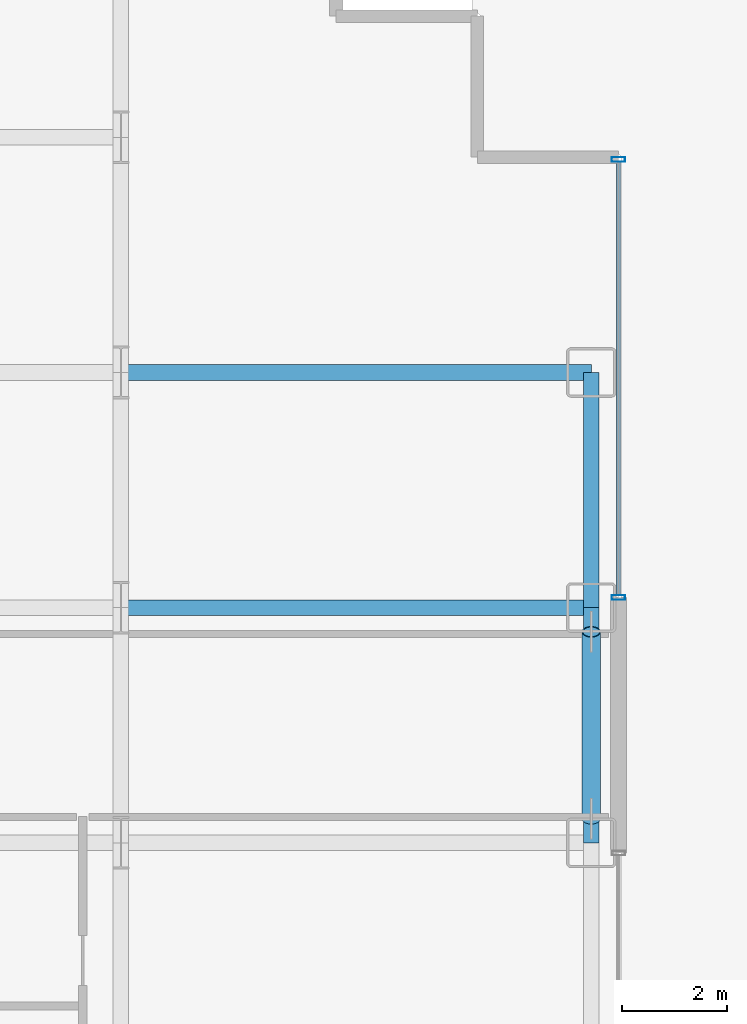
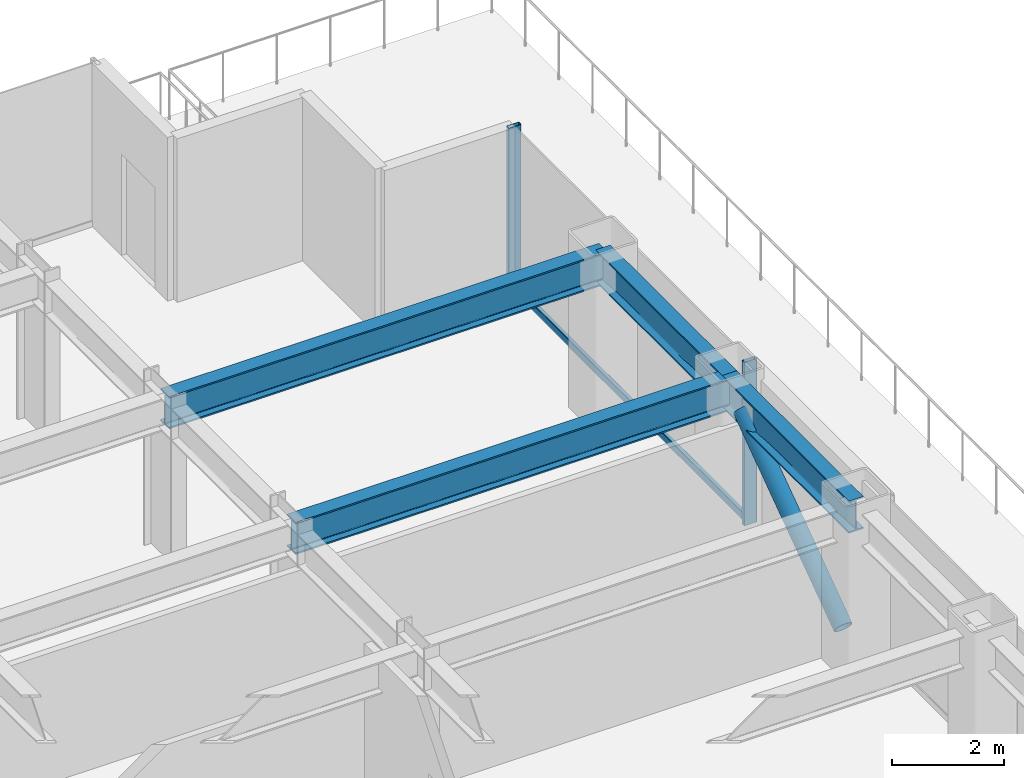
# One storey, part 18 of 30: 4 beams, 4 members, 1 element without a shape of its own.
"""IFC4 building model written with IfcOpenShell, lengths in metres."""

from ifc_helpers import new_model, si_unit, direction, frame, origin, origin_2d, place, context, subcontext, project, spatial, hollow_rectangle, hollow_circle, i_section, extrude, source, transform, mapped, material, layer, layer_set, material_profile, profile_set, type_object, element, aggregate, save


model = new_model("IFC4")

# Units and contexts
model_context = context("Model", 3, precision=1e-05, world=origin(), true_north=direction((0.0, 1.0)))
body_context = subcontext(model_context, "Body", "Model", "MODEL_VIEW")
ifc_project = project(units=[si_unit("LENGTHUNIT", "METRE"), si_unit("AREAUNIT", "SQUARE_METRE"), si_unit("VOLUMEUNIT", "CUBIC_METRE"), si_unit("PLANEANGLEUNIT", "RADIAN"), si_unit("MASSUNIT", "GRAM", prefix="KILO")], contexts=[model_context])

# Site, building, storey
site_placement = place(None, origin())
site = spatial("IfcSite", under=ifc_project, at=site_placement, CompositionType="ELEMENT")
building_placement = place(site_placement, origin())
building = spatial("IfcBuilding", under=site, at=building_placement, Name="Nefas-Gora Pilgrimage Tower", CompositionType="ELEMENT")
storey_placement = place(building_placement, frame((0.0, 0.0, 33.0)))
storey = spatial("IfcBuildingStorey", under=building, at=storey_placement, Name="L06", CompositionType="ELEMENT", Elevation=33.0)

# Beams
ifc_material_1 = material(Name="Steel S355", Category="steel")
ifc_material_profile_1 = material_profile(ifc_material_1, i_section(OverallWidth=0.300048828125, OverallDepth=0.699951171875, WebThickness=0.01708984375, FlangeThickness=0.031982421875, FilletRadius=0.027099609375, at=origin_2d()), Name="HEB 700")
ifc_profile_set_1 = profile_set([ifc_material_profile_1], Name="Steel S355")
beam_type_1 = type_object("IfcBeamType", Name="BM-SPN-HEB600", PredefinedType="SPANDREL", material=ifc_profile_set_1)
shared_shape_1 = source(origin(), body_context, "Body", "SweptSolid", [
    extrude(i_section(OverallWidth=0.300048828125, OverallDepth=0.699951171875, WebThickness=0.01708984375, FlangeThickness=0.031982421875, FilletRadius=0.027099609375, at=origin_2d()), origin(), (0.0, 0.0, 1.0), 4.5),
])
for number, where, z_axis, x_axis, name in (
    (1, (33.75, 4.5, 3.199951171875), (0.0, 1.0, 0.0), (-1.0, 0.0, 0.0), "L06 SP-01 beam"),
    (2, (33.75, 9.0, 3.199951171875), (0.0, 1.0, 0.0), (-1.0, 0.0, 0.0), "L06 SP-01 beam"),
):
    element("IfcBeam", number, at=place(storey_placement, frame(where, z_axis=z_axis, x_axis=x_axis)), inside=storey, type_object=beam_type_1, Name=name, PredefinedType="SPANDREL", context=body_context, shape_type="MappedRepresentation", body=[
        mapped(shared_shape_1, transform((0.0, 0.0, 0.0), x_axis=(1.0, 0.0, 0.0), y_axis=(0.0, 1.0, 0.0), z_axis=(0.0, 0.0, 1.0), scale=1.0)),
    ])
ifc_material_profile_2 = material_profile(ifc_material_1, i_section(OverallWidth=0.300048828125, OverallDepth=0.699951171875, WebThickness=0.01708984375, FlangeThickness=0.031982421875, FilletRadius=0.027099609375, at=origin_2d()), Name="HEB 700")
ifc_profile_set_2 = profile_set([ifc_material_profile_2], Name="Steel S355")
beam_type_2 = type_object("IfcBeamType", Name="BM-GIR-HEB700", PredefinedType="BEAM", material=ifc_profile_set_2)
shared_shape_2 = source(origin(), body_context, "Body", "SweptSolid", [
    extrude(i_section(OverallWidth=0.300048828125, OverallDepth=0.699951171875, WebThickness=0.01708984375, FlangeThickness=0.031982421875, FilletRadius=0.027099609375, at=origin_2d()), origin(), (0.0, 0.0, 1.0), 9.0),
])
for number, where, z_axis, x_axis, name in (
    (3, (24.75, 9.0, 3.199951171875), (1.0, 0.0, 0.0), (0.0, 1.0, 0.0), "L06 G-02 beam"),
    (4, (24.75, 13.5, 3.199951171875), (1.0, 0.0, 0.0), (0.0, 1.0, 0.0), "L06 G-02 beam"),
):
    element("IfcBeam", number, at=place(storey_placement, frame(where, z_axis=z_axis, x_axis=x_axis)), inside=storey, type_object=beam_type_2, Name=name, PredefinedType="BEAM", context=body_context, shape_type="MappedRepresentation", body=[
        mapped(shared_shape_2, transform((0.0, 0.0, 0.0), x_axis=(1.0, 0.0, 0.0), y_axis=(0.0, 1.0, 0.0), z_axis=(0.0, 0.0, 1.0), scale=1.0)),
    ])

# Member
ifc_material_2 = material(Name="Steel S460", Category="steel")
ifc_material_profile_3 = material_profile(ifc_material_2, hollow_circle(Radius=0.177734375, WallThickness=0.02001953125, at=origin_2d()), Name="CHS 355.6x20")
ifc_profile_set_3 = profile_set([ifc_material_profile_3], Name="Steel S460")
member_type_1 = type_object("IfcMemberType", Name="MEM-TUBE-356", PredefinedType="BRACE", material=ifc_profile_set_3)
shared_shape_3 = source(origin(), body_context, "Body", "SweptSolid", [
    extrude(hollow_circle(Radius=0.177734375, WallThickness=0.02001953125, at=origin_2d()), origin(), (0.0, 0.0, 1.0), 4.39501953125),
])
member_1_placement = place(storey_placement, frame((33.75, 4.962890625, 0.481201171875), z_axis=(0.0, 0.813237738338, 0.581931594729), x_axis=(-1.0, 0.0, 0.0)))
element("IfcMember", 5, at=member_1_placement, inside=storey, type_object=member_type_1, Name="L06 Perimeter Tube Diagonal Brace E2", PredefinedType="BRACE", context=body_context, shape_type="MappedRepresentation", body=[
    mapped(shared_shape_3, transform((0.0, 0.0, 0.0), x_axis=(1.0, 0.0, 0.0), y_axis=(0.0, 1.0, 0.0), z_axis=(0.0, 0.0, 1.0), scale=1.0)),
])

# Curtain wall, members
ifc_material_3 = material(Name="Dark ceramic-fritted solar-control aluminium-glass curtain wall", Category="aluminium")
ifc_layer = layer(ifc_material_3, 0.219970703125)
ifc_layer_set = layer_set([ifc_layer], Name="Dark ceramic-fritted solar-control aluminium-glass curtain wall")
curtain_wall_type = type_object("IfcCurtainWallType", Name="CW-SYS-2", PredefinedType="NOTDEFINED", material=ifc_layer_set)
curtain_wall_placement = place(storey_placement, origin())
curtain_wall = element("IfcCurtainWall", 6, at=curtain_wall_placement, inside=storey, type_object=curtain_wall_type, Name="L06 Unitised Curtain Wall CW2", PredefinedType="NOTDEFINED")
ifc_material_4 = material(Name="Anodised architectural aluminium", Category="aluminium")
ifc_material_profile_4 = material_profile(ifc_material_4, hollow_rectangle(XDim=0.090087890625, YDim=0.260009765625, WallThickness=0.006103515625, InnerFilletRadius=0.006103515625, OuterFilletRadius=0.011962890625, at=origin_2d()), Name="ALU MULLION 90x260")
ifc_profile_set_4 = profile_set([ifc_material_profile_4], Name="Anodised architectural aluminium")
member_type_2 = type_object("IfcMemberType", Name="CWM-MUL-2", PredefinedType="MULLION", material=ifc_profile_set_4)
shared_shape_4 = source(origin(), body_context, "Body", "SweptSolid", [
    extrude(hollow_rectangle(XDim=0.090087890625, YDim=0.260009765625, WallThickness=0.006103515625, InnerFilletRadius=0.006103515625, OuterFilletRadius=0.011962890625, at=origin_2d()), origin(), (0.0, 0.0, 1.0), 3.550048828125),
])
member_2_placement = place(storey_placement, frame((34.27001953125, 9.195068359375, 0.0), z_axis=(0.0, 0.0, 1.0), x_axis=(0.0, 1.0, 0.0)))
member_2 = element("IfcMember", 7, at=member_2_placement, type_object=member_type_2, Name="CW2 Mullion 1", PredefinedType="MULLION", context=body_context, shape_type="MappedRepresentation", body=[
    mapped(shared_shape_4, transform((0.0, 0.0, 0.0), x_axis=(1.0, 0.0, 0.0), y_axis=(0.0, 1.0, 0.0), z_axis=(0.0, 0.0, 1.0), scale=1.0)),
])
member_3_placement = place(storey_placement, frame((34.27001953125, 17.574951171875, 0.0), z_axis=(0.0, 0.0, 1.0), x_axis=(0.0, 1.0, 0.0)))
member_3 = element("IfcMember", 8, at=member_3_placement, type_object=member_type_2, Name="CW2 Mullion 2", PredefinedType="MULLION", context=body_context, shape_type="MappedRepresentation", body=[
    mapped(shared_shape_4, transform((0.0, 0.0, 0.0), x_axis=(1.0, 0.0, 0.0), y_axis=(0.0, 1.0, 0.0), z_axis=(0.0, 0.0, 1.0), scale=1.0)),
])
ifc_material_profile_5 = material_profile(ifc_material_4, hollow_rectangle(XDim=0.080078125, YDim=0.159912109375, WallThickness=0.00439453125, InnerFilletRadius=0.00439453125, OuterFilletRadius=0.009033203125, at=origin_2d()), Name="ALU TRANSOM 80x160")
ifc_profile_set_5 = profile_set([ifc_material_profile_5], Name="Anodised architectural aluminium")
member_type_3 = type_object("IfcMemberType", Name="CWM-TRN-2", PredefinedType="USERDEFINED", material=ifc_profile_set_5)
shared_shape_5 = source(origin(), body_context, "Body", "SweptSolid", [
    extrude(hollow_rectangle(XDim=0.080078125, YDim=0.159912109375, WallThickness=0.00439453125, InnerFilletRadius=0.00439453125, OuterFilletRadius=0.009033203125, at=origin_2d()), origin(), (0.0, 0.0, 1.0), 8.2900390625),
])
member_4_placement = place(storey_placement, frame((34.27001953125, 9.239990234375, 0.050048828125), z_axis=(0.0, 1.0, 0.0), x_axis=(-1.0, 0.0, 0.0)))
member_4 = element("IfcMember", 9, at=member_4_placement, type_object=member_type_3, Name="CW2 Spandrel Transom", ObjectType="TRANSOM", PredefinedType="USERDEFINED", context=body_context, shape_type="MappedRepresentation", body=[
    mapped(shared_shape_5, transform((0.0, 0.0, 0.0), x_axis=(1.0, 0.0, 0.0), y_axis=(0.0, 1.0, 0.0), z_axis=(0.0, 0.0, 1.0), scale=1.0)),
])
aggregate(curtain_wall, [member_2, member_3, member_4])

save(model, "model.ifc")
